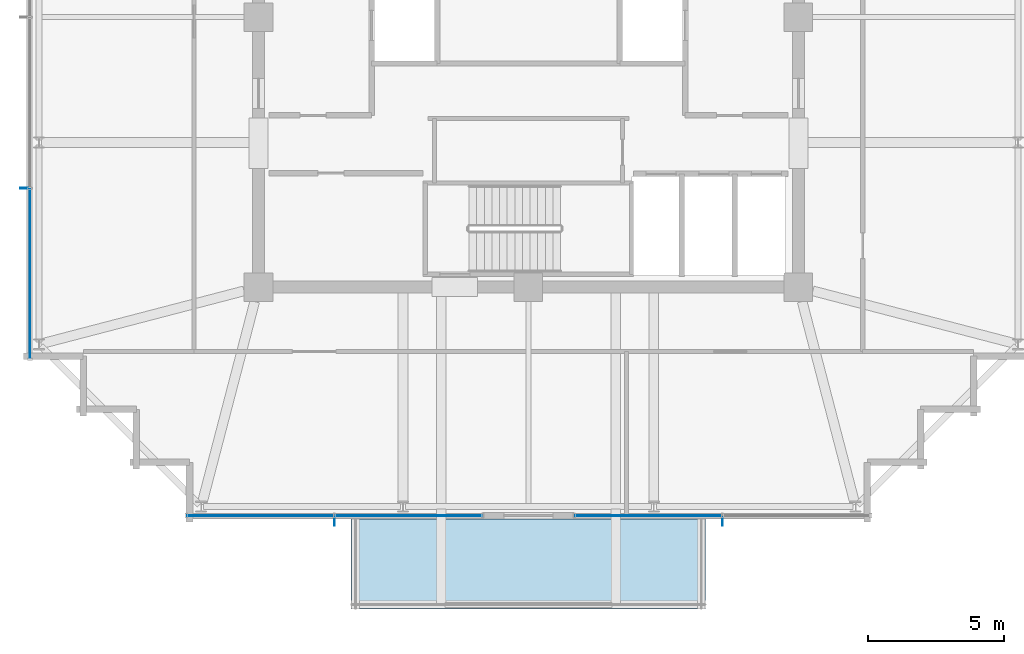
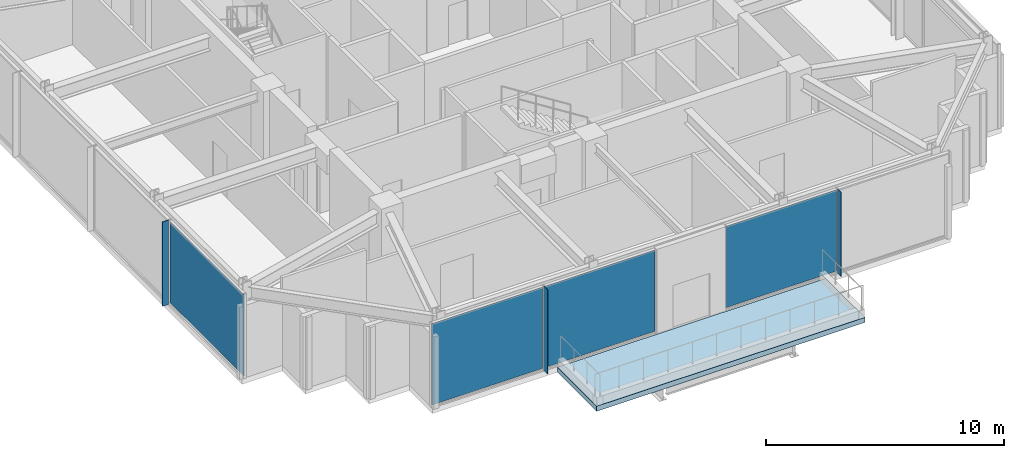
# One storey, part 21 of 30: 7 plates, 1 slab, 3 elements without a shape of their own.
"""IFC4 building model written with IfcOpenShell, lengths in metres."""

from ifc_helpers import new_model, si_unit, direction, frame, origin, origin_2d, place, context, subcontext, project, spatial, polyline, rectangle, outline, extrude, material, layer, layer_set, type_object, element, aggregate, save


model = new_model("IFC4")

# Units and contexts
model_context = context("Model", 3, precision=1e-05, world=origin(), true_north=direction((0.0, 1.0)))
body_context = subcontext(model_context, "Body", "Model", "MODEL_VIEW")
ifc_project = project(units=[si_unit("LENGTHUNIT", "METRE"), si_unit("AREAUNIT", "SQUARE_METRE"), si_unit("VOLUMEUNIT", "CUBIC_METRE"), si_unit("PLANEANGLEUNIT", "RADIAN"), si_unit("MASSUNIT", "GRAM", prefix="KILO")], contexts=[model_context])

# Site, building, storey
site_placement = place(None, origin())
site = spatial("IfcSite", under=ifc_project, at=site_placement, CompositionType="ELEMENT")
building_placement = place(site_placement, origin())
building = spatial("IfcBuilding", under=site, at=building_placement, Name="Kolvaren Belvedere", CompositionType="ELEMENT")
storey_placement = place(building_placement, frame((0.0, 0.0, 262.800048828125)))
storey = spatial("IfcBuildingStorey", under=building, at=storey_placement, Name="L76", CompositionType="ELEMENT", Elevation=262.800048828125)

# Curtain wall, plate
ifc_material_1 = material(Name="Anodised pale-metal aluminium AA 6063-T6", Category="aluminium")
curtain_wall_type = type_object("IfcCurtainWallType", Name="CW-CRN-OBS", PredefinedType="NOTDEFINED", material=ifc_material_1)
curtain_wall_1_placement = place(storey_placement, origin())
curtain_wall_1 = element("IfcCurtainWall", 1, at=curtain_wall_1_placement, inside=storey, type_object=curtain_wall_type, Name="L76 Unitised Curtain Wall FCW-L76-S1", PredefinedType="NOTDEFINED")
ifc_material_2 = material(Name="Low-iron laminated vision glass", Category="glass")
ifc_layer_1 = layer(ifc_material_2, 0.031982421875)
ifc_layer_set_1 = layer_set([ifc_layer_1], Name="Low-iron laminated vision glass")
plate_type_1 = type_object("IfcPlateType", Name="CW-PNL-VIS32", PredefinedType="CURTAIN_PANEL", material=ifc_layer_set_1)
plate_1_placement = place(storey_placement, frame((4.3974609375, -18.280029296875, 0.080078125), z_axis=(0.0, 0.0, 1.0), x_axis=(-1.0, 0.0, 0.0)))
plate_1 = element("IfcPlate", 2, at=plate_1_placement, type_object=plate_type_1, Name="FCW-L76-S1 Vision Glazing Panel 2", PredefinedType="CURTAIN_PANEL", context=body_context, shape_type="SweptSolid", body=[
    extrude(rectangle(XDim=5.35498046875, YDim=0.031982421875, at=origin_2d()), origin(), (0.0, 0.0, 1.0), 4.159912109375),
])
aggregate(curtain_wall_1, [plate_1])

# Curtain wall, plates
curtain_wall_2_placement = place(storey_placement, origin())
curtain_wall_2 = element("IfcCurtainWall", 3, at=curtain_wall_2_placement, inside=storey, type_object=curtain_wall_type, Name="L76 Unitised Curtain Wall FCW-L76-S2", PredefinedType="NOTDEFINED")
plate_2_placement = place(storey_placement, frame((-4.3974609375, -18.280029296875, 0.080078125), z_axis=(0.0, 0.0, 1.0), x_axis=(-1.0, 0.0, 0.0)))
plate_2 = element("IfcPlate", 4, at=plate_2_placement, type_object=plate_type_1, Name="FCW-L76-S2 Vision Glazing Panel 1", PredefinedType="CURTAIN_PANEL", context=body_context, shape_type="SweptSolid", body=[
    extrude(rectangle(XDim=5.35498046875, YDim=0.031982421875, at=origin_2d()), origin(), (0.0, 0.0, 1.0), 4.159912109375),
])
plate_3_placement = place(storey_placement, frame((-9.83251953125, -18.280029296875, 0.080078125), z_axis=(0.0, 0.0, 1.0), x_axis=(-1.0, 0.0, 0.0)))
plate_3 = element("IfcPlate", 5, at=plate_3_placement, type_object=plate_type_1, Name="FCW-L76-S2 Vision Glazing Panel 2", PredefinedType="CURTAIN_PANEL", context=body_context, shape_type="SweptSolid", body=[
    extrude(rectangle(XDim=5.35498046875, YDim=0.031982421875, at=origin_2d()), origin(), (0.0, 0.0, 1.0), 4.159912109375),
])
aggregate(curtain_wall_2, [plate_2, plate_3])

# Curtain wall, plate
curtain_wall_3_placement = place(storey_placement, origin())
curtain_wall_3 = element("IfcCurtainWall", 6, at=curtain_wall_3_placement, inside=storey, type_object=curtain_wall_type, Name="L76 Unitised Curtain Wall FCW-L76-W", PredefinedType="NOTDEFINED")
plate_4_placement = place(storey_placement, frame((-18.280029296875, -9.41259765625, 0.080078125), z_axis=(0.0, 0.0, 1.0), x_axis=(0.0, 1.0, 0.0)))
plate_4 = element("IfcPlate", 7, at=plate_4_placement, type_object=plate_type_1, Name="FCW-L76-W Vision Glazing Panel 1", PredefinedType="CURTAIN_PANEL", context=body_context, shape_type="SweptSolid", body=[
    extrude(rectangle(XDim=6.195068359375, YDim=0.031982421875, at=origin_2d()), origin(), (0.0, 0.0, 1.0), 4.159912109375),
])
aggregate(curtain_wall_3, [plate_4])

# Plates
ifc_material_3 = material(Name="Anodised pale-metal aluminium AA 6063-T6", Category="aluminium")
ifc_layer_2 = layer(ifc_material_3, 0.030029296875)
ifc_layer_set_2 = layer_set([ifc_layer_2], Name="Anodised pale-metal aluminium AA 6063-T6")
plate_type_2 = type_object("IfcPlateType", Name="FIN-VERT-300", PredefinedType="USERDEFINED", material=ifc_layer_set_2)
for number, where, z_axis, x_axis, name in (
    (8, (7.114990234375, -18.4951171875, 0.0), (0.0, 0.0, 1.0), (0.0, 1.0, 0.0), "L76 Pale-Metal Vertical Shading Fin FCW-L76-S1-1"),
    (9, (-7.114990234375, -18.4951171875, 0.0), (0.0, 0.0, 1.0), (0.0, 1.0, 0.0), "L76 Pale-Metal Vertical Shading Fin FCW-L76-S2-1"),
    (10, (-18.4951171875, -6.27490234375, 0.0), (0.0, 0.0, 1.0), (1.0, 0.0, 0.0), "L76 Pale-Metal Vertical Shading Fin FCW-L76-W-1"),
):
    element("IfcPlate", number, at=place(storey_placement, frame(where, z_axis=z_axis, x_axis=x_axis)), inside=storey, type_object=plate_type_2, Name=name, ObjectType="VERTICAL FIN", PredefinedType="USERDEFINED", context=body_context, shape_type="SweptSolid", body=[
        extrude(rectangle(XDim=0.300048828125, YDim=0.030029296875, at=origin_2d()), origin(), (0.0, 0.0, 1.0), 4.320068359375),
    ])

# Slab
ifc_material_4 = material(Name="Concrete C50/60", Category="concrete")
ifc_layer_3 = layer(ifc_material_4, 0.260009765625)
ifc_layer_set_3 = layer_set([ifc_layer_3], Name="Concrete C50/60")
slab_type = type_object("IfcSlabType", Name="SL-TERR-260", PredefinedType="FLOOR", material=ifc_layer_set_3)
slab_placement = place(storey_placement, frame((0.0, 0.0, -0.280029296875)))
element("IfcSlab", 11, at=slab_placement, inside=storey, type_object=slab_type, Name="L76 Planted Sky Terrace SKYBAR-S", PredefinedType="FLOOR", context=body_context, shape_type="SweptSolid", body=[
    extrude(outline(polyline([(-6.5, -21.699951171875), (6.5, -21.699951171875), (6.5, -18.39990234375), (-6.5, -18.39990234375), (-6.5, -21.699951171875)])), origin(), (0.0, 0.0, 1.0), 0.260009765625),
])

save(model, "model.ifc")
